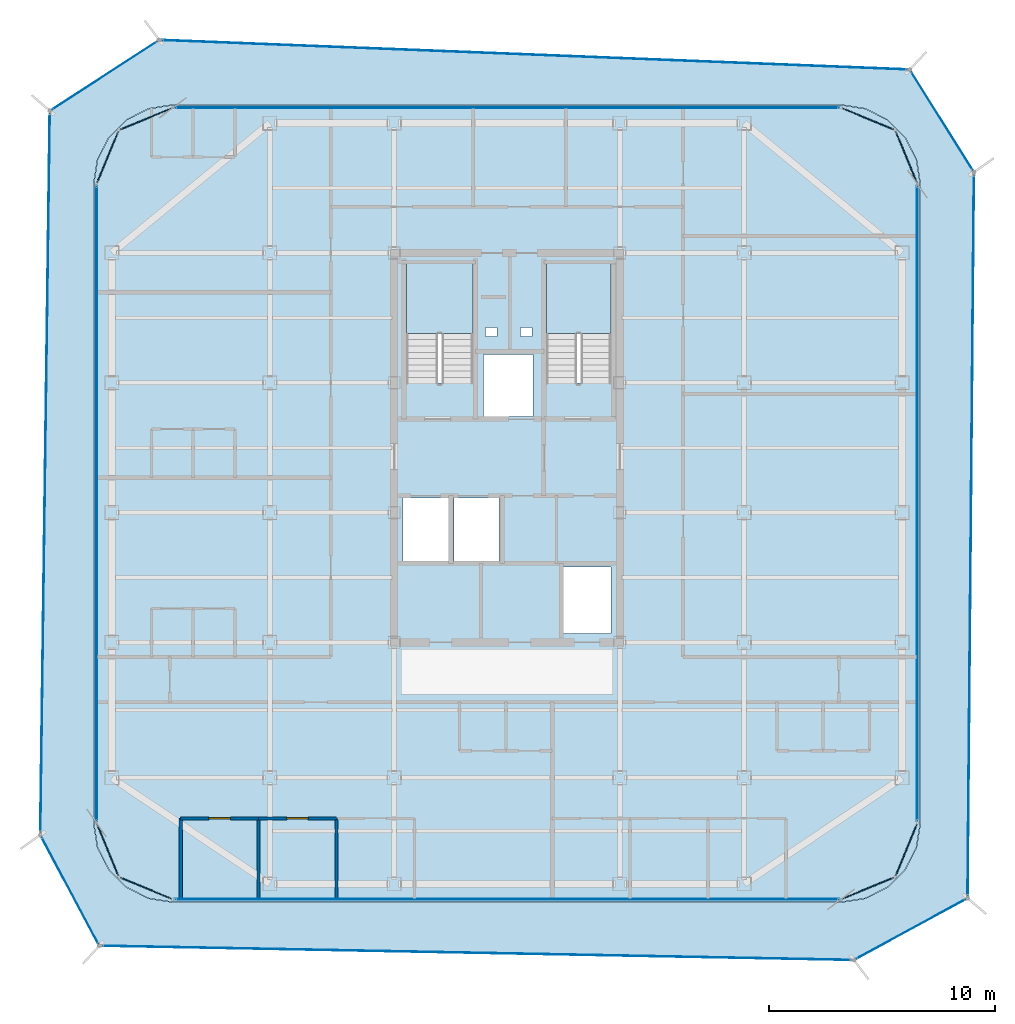
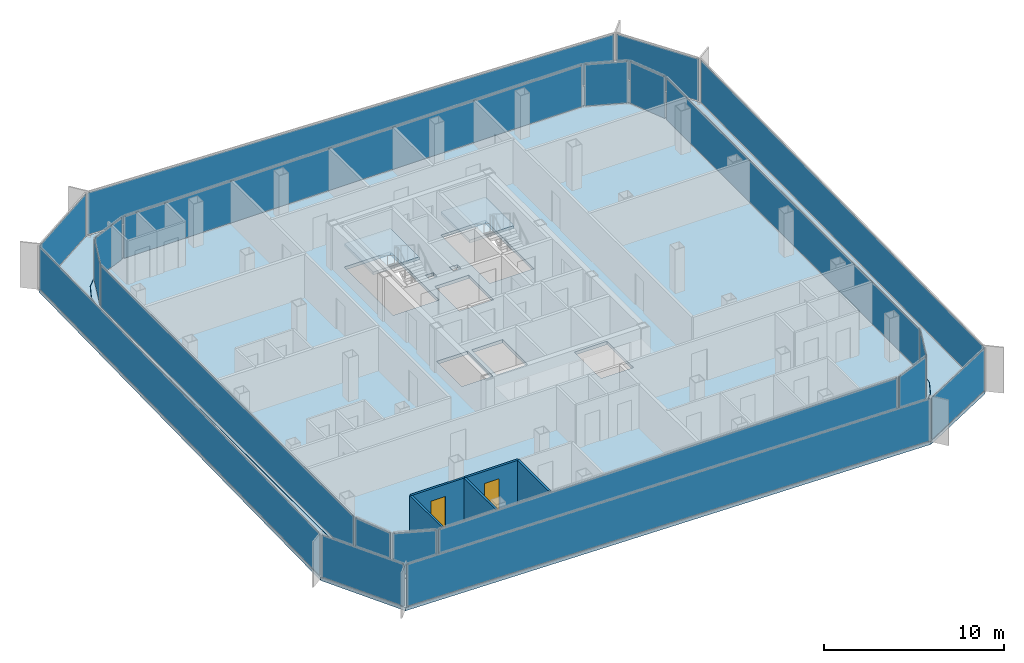
# One storey, part 9 of 15: 20 plates, 5 walls, 4 slabs, 2 doors, 2 openings, 22 elements without a shape of their own.
"""IFC4 building model written with IfcOpenShell, lengths in metres."""

from ifc_helpers import new_model, si_unit, direction, frame, frame_2d, origin, origin_2d, place, context, subcontext, project, spatial, polyline, rectangle, outline, extrude, source, transform, mapped, material, layer, layer_set, type_object, element, fill, aggregate, save


model = new_model("IFC4")

# Units and contexts
model_context = context("Model", 3, precision=1e-05, world=origin(), true_north=direction((0.0, 1.0)))
body_context = subcontext(model_context, "Body", "Model", "MODEL_VIEW")
ifc_project = project(units=[si_unit("LENGTHUNIT", "METRE"), si_unit("AREAUNIT", "SQUARE_METRE"), si_unit("VOLUMEUNIT", "CUBIC_METRE"), si_unit("PLANEANGLEUNIT", "RADIAN"), si_unit("MASSUNIT", "GRAM", prefix="KILO")], contexts=[model_context])

# Site, building, storey
site_placement = place(None, origin())
site = spatial("IfcSite", under=ifc_project, at=site_placement, CompositionType="ELEMENT")
building_placement = place(site_placement, origin())
building = spatial("IfcBuilding", under=site, at=building_placement, Name="Kolveth Station Tower", CompositionType="ELEMENT")
storey_placement = place(building_placement, frame((0.0, 0.0, 261.699951171875)))
storey = spatial("IfcBuildingStorey", under=building, at=storey_placement, Name="L75", CompositionType="ELEMENT", Elevation=261.699951171875)

# Slab
ifc_material_1 = material(Name="Concrete C40/50", Category="concrete")
ifc_layer_1 = layer(ifc_material_1, 0.219970703125)
ifc_layer_set_1 = layer_set([ifc_layer_1], Name="Concrete C40/50")
slab_type_1 = type_object("IfcSlabType", Name="Slab_SF-220", PredefinedType="FLOOR", material=ifc_layer_set_1)
slab_1_placement = place(storey_placement, frame((0.0, 0.0, -0.219970703125)))
element("IfcSlab", 1, at=slab_1_placement, inside=storey, type_object=slab_type_1, Name="L75 Tower Structural Floor Slab", PredefinedType="FLOOR", context=body_context, shape_type="SweptSolid", body=[
    extrude(outline(polyline([(38.300048828125, 0.0), (39.381591796875, 0.17138671875), (40.357177734375, 0.66845703125), (41.131591796875, 1.44287109375), (41.628662109375, 2.41845703125), (41.800048828125, 3.5), (41.800048828125, 31.800048828125), (41.628662109375, 32.881591796875), (41.131591796875, 33.857177734375), (40.357177734375, 34.631591796875), (39.381591796875, 35.128662109375), (38.300048828125, 35.300048828125), (8.699951171875, 35.300048828125), (7.618408203125, 35.128662109375), (6.642822265625, 34.631591796875), (5.868408203125, 33.857177734375), (5.371337890625, 32.881591796875), (5.199951171875, 31.800048828125), (5.199951171875, 3.5), (5.371337890625, 2.41845703125), (5.868408203125, 1.44287109375), (6.642822265625, 0.66845703125), (7.618408203125, 0.17138671875), (8.699951171875, 0.0), (38.300048828125, 0.0)]), holes=[polyline([(19.0400390625, 22.985107421875), (22.0, 22.985107421875), (22.0, 28.39990234375), (19.0400390625, 28.39990234375), (19.0400390625, 22.985107421875)]), polyline([(25.239990234375, 22.985107421875), (28.10009765625, 22.985107421875), (28.10009765625, 28.39990234375), (25.239990234375, 28.39990234375), (25.239990234375, 22.985107421875)]), polyline([(18.89990234375, 15.10009765625), (20.89990234375, 15.10009765625), (20.89990234375, 17.89990234375), (18.89990234375, 17.89990234375), (18.89990234375, 15.10009765625)]), polyline([(21.14990234375, 15.10009765625), (23.14990234375, 15.10009765625), (23.14990234375, 17.89990234375), (21.14990234375, 17.89990234375), (21.14990234375, 15.10009765625)]), polyline([(22.449951171875, 21.5), (24.64990234375, 21.5), (24.64990234375, 24.25), (22.449951171875, 24.25), (22.449951171875, 21.5)]), polyline([(26.0, 11.89990234375), (28.10009765625, 11.89990234375), (28.10009765625, 14.85009765625), (26.0, 14.85009765625), (26.0, 11.89990234375)]), polyline([(22.550048828125, 25.050048828125), (23.050048828125, 25.050048828125), (23.050048828125, 25.449951171875), (22.550048828125, 25.449951171875), (22.550048828125, 25.050048828125)]), polyline([(24.10009765625, 25.050048828125), (24.60009765625, 25.050048828125), (24.60009765625, 25.449951171875), (24.10009765625, 25.449951171875), (24.10009765625, 25.050048828125)])]), origin(), (0.0, 0.0, 1.0), 0.219970703125),
])

# Stair, slab
stair_type_1 = type_object("IfcStairType", Name="Stair_ST2", PredefinedType="HALF_TURN_STAIR", material=ifc_material_1)
stair_1_placement = place(storey_placement, origin())
stair_1 = element("IfcStair", 2, at=stair_1_placement, inside=storey, type_object=stair_type_1, Name="L75 Tower Exit Stair ST2", PredefinedType="HALF_TURN_STAIR")
ifc_layer_2 = layer(ifc_material_1, 0.18994140625)
ifc_layer_set_2 = layer_set([ifc_layer_2], Name="Concrete C40/50")
slab_type_2 = type_object("IfcSlabType", Name="Slab_SL-190", PredefinedType="LANDING", material=ifc_layer_set_2)
slab_2_placement = place(storey_placement, frame((0.0, 0.0, 1.400146484375)))
slab_2 = element("IfcSlab", 3, at=slab_2_placement, type_object=slab_type_2, Name="ST2 landing 1", PredefinedType="LANDING", context=body_context, shape_type="SweptSolid", body=[
    extrude(outline(polyline([(28.10009765625, 25.18994140625), (28.10009765625, 28.39990234375), (25.239990234375, 28.39990234375), (25.239990234375, 25.18994140625), (28.10009765625, 25.18994140625)])), origin(), (0.0, 0.0, 1.0), 0.199951171875),
])
aggregate(stair_1, [slab_2])

stair_type_2 = type_object("IfcStairType", Name="Stair_ST1", PredefinedType="HALF_TURN_STAIR", material=ifc_material_1)
stair_2_placement = place(storey_placement, origin())
stair_2 = element("IfcStair", 4, at=stair_2_placement, inside=storey, type_object=stair_type_2, Name="L75 Tower Exit Stair ST1", PredefinedType="HALF_TURN_STAIR")
ifc_layer_3 = layer(ifc_material_1, 0.205078125)
ifc_layer_set_3 = layer_set([ifc_layer_3], Name="Concrete C40/50")
slab_type_3 = type_object("IfcSlabType", Name="Slab_SL-205", PredefinedType="LANDING", material=ifc_layer_set_3)
slab_3_placement = place(storey_placement, frame((0.0, 0.0, 1.400146484375)))
slab_3 = element("IfcSlab", 5, at=slab_3_placement, type_object=slab_type_3, Name="ST1 landing 1", PredefinedType="LANDING", context=body_context, shape_type="SweptSolid", body=[
    extrude(outline(polyline([(22.0, 25.18994140625), (22.0, 28.39990234375), (19.0400390625, 28.39990234375), (19.0400390625, 25.18994140625), (22.0, 25.18994140625)])), origin(), (0.0, 0.0, 1.0), 0.199951171875),
])
aggregate(stair_2, [slab_3])

# Slab
ifc_layer_4 = layer(ifc_material_1, 0.2099609375)
ifc_layer_set_4 = layer_set([ifc_layer_4], Name="Concrete C40/50")
slab_type_4 = type_object("IfcSlabType", Name="Slab_ST-210", PredefinedType="FLOOR", material=ifc_layer_set_4)
slab_4_placement = place(storey_placement, frame((0.0, 0.0, -0.2099609375)))
element("IfcSlab", 6, at=slab_4_placement, inside=storey, type_object=slab_type_4, Name="L75 Double-Skin Cavity Structural Ledger Ring", PredefinedType="FLOOR", context=body_context, shape_type="SweptSolid", body=[
    extrude(outline(polyline([(5.446533203125, -1.937744140625), (2.833251953125, 2.976318359375), (3.253662109375, 35.04052734375), (8.098388671875, 38.179931640625), (41.34228515625, 36.868896484375), (44.185302734375, 32.326171875), (43.903076171875, 0.169677734375), (38.86328125, -2.570068359375), (5.446533203125, -1.937744140625)]), holes=[polyline([(38.30224609375, -0.014892578125), (39.3837890625, 0.156494140625), (39.388427734375, 0.157958984375), (40.364013671875, 0.655029296875), (40.367919921875, 0.65771484375), (41.14208984375, 1.43212890625), (41.14501953125, 1.43603515625), (41.64208984375, 2.41162109375), (41.6435546875, 2.416015625), (41.814697265625, 3.497802734375), (41.81494140625, 3.5), (41.81494140625, 31.800048828125), (41.814697265625, 31.80224609375), (41.6435546875, 32.8837890625), (41.64208984375, 32.888427734375), (41.14501953125, 33.864013671875), (41.14208984375, 33.867919921875), (40.367919921875, 34.64208984375), (40.364013671875, 34.64501953125), (39.388427734375, 35.14208984375), (39.3837890625, 35.1435546875), (38.30224609375, 35.314697265625), (38.300048828125, 35.31494140625), (8.699951171875, 35.31494140625), (8.69775390625, 35.314697265625), (7.6162109375, 35.1435546875), (7.611572265625, 35.14208984375), (6.635986328125, 34.64501953125), (6.632080078125, 34.64208984375), (5.85791015625, 33.867919921875), (5.85498046875, 33.864013671875), (5.35791015625, 32.888427734375), (5.3564453125, 32.8837890625), (5.185302734375, 31.80224609375), (5.18505859375, 31.800048828125), (5.18505859375, 3.5), (5.185302734375, 3.497802734375), (5.3564453125, 2.416015625), (5.35791015625, 2.41162109375), (5.85498046875, 1.43603515625), (5.85791015625, 1.43212890625), (6.632080078125, 0.65771484375), (6.635986328125, 0.655029296875), (7.611572265625, 0.157958984375), (7.6162109375, 0.156494140625), (8.69775390625, -0.014892578125), (8.699951171875, -0.014892578125), (38.300048828125, -0.014892578125), (38.30224609375, -0.014892578125)])]), origin(), (0.0, 0.0, 1.0), 0.2099609375),
])

# Curtain wall, plate
ifc_material_2 = material(Name="Aluminium 6063-T6 and triple low-E dark glass", Category="aluminium")
ifc_layer_5 = layer(ifc_material_2, 0.199951171875)
ifc_layer_set_5 = layer_set([ifc_layer_5], Name="Aluminium 6063-T6 and triple low-E dark glass")
curtain_wall_type_1 = type_object("IfcCurtainWallType", Name="CurtainWall_CW-Z3", PredefinedType="NOTDEFINED", material=ifc_layer_set_5)
curtain_wall_1_placement = place(storey_placement, origin())
curtain_wall_1 = element("IfcCurtainWall", 7, at=curtain_wall_1_placement, inside=storey, type_object=curtain_wall_type_1, Name="L75 Inner Thermal Curtain Wall 1", PredefinedType="NOTDEFINED")
ifc_material_3 = material(Name="Architectural low-E dark glass", Category="glass")
ifc_layer_6 = layer(ifc_material_3, 0.0419921875)
ifc_layer_set_6 = layer_set([ifc_layer_6], Name="Architectural low-E dark glass")
plate_type_1 = type_object("IfcPlateType", Name="Panel_GL3", PredefinedType="CURTAIN_PANEL", material=ifc_layer_set_6)
shared_shape_1 = source(origin(), body_context, "Body", "SweptSolid", [
    extrude(rectangle(XDim=2.430908203125, YDim=0.0419921875, at=origin_2d()), origin(), (0.0, 0.0, 1.0), 2.823974609375),
])
plate_1_placement = place(storey_placement, frame((39.4951171875, 0.614990234375, 0.078125), z_axis=(0.0, 0.0, 1.0), x_axis=(0.923875488975, 0.382693194181, 0.0)))
plate_1 = element("IfcPlate", 8, at=plate_1_placement, type_object=plate_type_1, Name="CW-Z3 panel 1.1", PredefinedType="CURTAIN_PANEL", context=body_context, shape_type="MappedRepresentation", body=[
    mapped(shared_shape_1, transform((0.0, 0.0, 0.0), x_axis=(1.0, 0.0, 0.0), y_axis=(0.0, 1.0, 0.0), z_axis=(0.0, 0.0, 1.0), scale=1.0)),
])
aggregate(curtain_wall_1, [plate_1])

curtain_wall_2_placement = place(storey_placement, origin())
curtain_wall_2 = element("IfcCurtainWall", 9, at=curtain_wall_2_placement, inside=storey, type_object=curtain_wall_type_1, Name="L75 Inner Thermal Curtain Wall 2", PredefinedType="NOTDEFINED")
plate_2_placement = place(storey_placement, frame((41.18505859375, 2.304931640625, 0.078125), z_axis=(0.0, 0.0, 1.0), x_axis=(0.382693194181, 0.923875488975, 0.0)))
plate_2 = element("IfcPlate", 10, at=plate_2_placement, type_object=plate_type_1, Name="CW-Z3 panel 1.1", PredefinedType="CURTAIN_PANEL", context=body_context, shape_type="MappedRepresentation", body=[
    mapped(shared_shape_1, transform((0.0, 0.0, 0.0), x_axis=(1.0, 0.0, 0.0), y_axis=(0.0, 1.0, 0.0), z_axis=(0.0, 0.0, 1.0), scale=1.0)),
])
aggregate(curtain_wall_2, [plate_2])

curtain_wall_3_placement = place(storey_placement, origin())
curtain_wall_3 = element("IfcCurtainWall", 11, at=curtain_wall_3_placement, inside=storey, type_object=curtain_wall_type_1, Name="L75 Inner Thermal Curtain Wall 4", PredefinedType="NOTDEFINED")
plate_3_placement = place(storey_placement, frame((41.18505859375, 32.9951171875, 0.078125), z_axis=(0.0, 0.0, 1.0), x_axis=(-0.382693194181, 0.923875488975, 0.0)))
plate_3 = element("IfcPlate", 12, at=plate_3_placement, type_object=plate_type_1, Name="CW-Z3 panel 1.1", PredefinedType="CURTAIN_PANEL", context=body_context, shape_type="MappedRepresentation", body=[
    mapped(shared_shape_1, transform((0.0, 0.0, 0.0), x_axis=(1.0, 0.0, 0.0), y_axis=(0.0, 1.0, 0.0), z_axis=(0.0, 0.0, 1.0), scale=1.0)),
])
aggregate(curtain_wall_3, [plate_3])

curtain_wall_4_placement = place(storey_placement, origin())
curtain_wall_4 = element("IfcCurtainWall", 13, at=curtain_wall_4_placement, inside=storey, type_object=curtain_wall_type_1, Name="L75 Inner Thermal Curtain Wall 5", PredefinedType="NOTDEFINED")
plate_4_placement = place(storey_placement, frame((39.4951171875, 34.68505859375, 0.078125), z_axis=(0.0, 0.0, 1.0), x_axis=(-0.923875488975, 0.382693194181, 0.0)))
plate_4 = element("IfcPlate", 14, at=plate_4_placement, type_object=plate_type_1, Name="CW-Z3 panel 1.1", PredefinedType="CURTAIN_PANEL", context=body_context, shape_type="MappedRepresentation", body=[
    mapped(shared_shape_1, transform((0.0, 0.0, 0.0), x_axis=(1.0, 0.0, 0.0), y_axis=(0.0, 1.0, 0.0), z_axis=(0.0, 0.0, 1.0), scale=1.0)),
])
aggregate(curtain_wall_4, [plate_4])

curtain_wall_5_placement = place(storey_placement, origin())
curtain_wall_5 = element("IfcCurtainWall", 15, at=curtain_wall_5_placement, inside=storey, type_object=curtain_wall_type_1, Name="L75 Inner Thermal Curtain Wall 7", PredefinedType="NOTDEFINED")
plate_5_placement = place(storey_placement, frame((7.5048828125, 34.68505859375, 0.078125), z_axis=(0.0, 0.0, 1.0), x_axis=(-0.923875488975, -0.382693194181, 0.0)))
plate_5 = element("IfcPlate", 16, at=plate_5_placement, type_object=plate_type_1, Name="CW-Z3 panel 1.1", PredefinedType="CURTAIN_PANEL", context=body_context, shape_type="MappedRepresentation", body=[
    mapped(shared_shape_1, transform((0.0, 0.0, 0.0), x_axis=(1.0, 0.0, 0.0), y_axis=(0.0, 1.0, 0.0), z_axis=(0.0, 0.0, 1.0), scale=1.0)),
])
aggregate(curtain_wall_5, [plate_5])

curtain_wall_6_placement = place(storey_placement, origin())
curtain_wall_6 = element("IfcCurtainWall", 17, at=curtain_wall_6_placement, inside=storey, type_object=curtain_wall_type_1, Name="L75 Inner Thermal Curtain Wall 8", PredefinedType="NOTDEFINED")
plate_6_placement = place(storey_placement, frame((5.81494140625, 32.9951171875, 0.078125), z_axis=(0.0, 0.0, 1.0), x_axis=(-0.382693194181, -0.923875488975, 0.0)))
plate_6 = element("IfcPlate", 18, at=plate_6_placement, type_object=plate_type_1, Name="CW-Z3 panel 1.1", PredefinedType="CURTAIN_PANEL", context=body_context, shape_type="MappedRepresentation", body=[
    mapped(shared_shape_1, transform((0.0, 0.0, 0.0), x_axis=(1.0, 0.0, 0.0), y_axis=(0.0, 1.0, 0.0), z_axis=(0.0, 0.0, 1.0), scale=1.0)),
])
aggregate(curtain_wall_6, [plate_6])

curtain_wall_7_placement = place(storey_placement, origin())
curtain_wall_7 = element("IfcCurtainWall", 19, at=curtain_wall_7_placement, inside=storey, type_object=curtain_wall_type_1, Name="L75 Inner Thermal Curtain Wall 10", PredefinedType="NOTDEFINED")
plate_7_placement = place(storey_placement, frame((5.81494140625, 2.304931640625, 0.078125), z_axis=(0.0, 0.0, 1.0), x_axis=(0.382693194181, -0.923875488975, 0.0)))
plate_7 = element("IfcPlate", 20, at=plate_7_placement, type_object=plate_type_1, Name="CW-Z3 panel 1.1", PredefinedType="CURTAIN_PANEL", context=body_context, shape_type="MappedRepresentation", body=[
    mapped(shared_shape_1, transform((0.0, 0.0, 0.0), x_axis=(1.0, 0.0, 0.0), y_axis=(0.0, 1.0, 0.0), z_axis=(0.0, 0.0, 1.0), scale=1.0)),
])
aggregate(curtain_wall_7, [plate_7])

curtain_wall_8_placement = place(storey_placement, origin())
curtain_wall_8 = element("IfcCurtainWall", 21, at=curtain_wall_8_placement, inside=storey, type_object=curtain_wall_type_1, Name="L75 Inner Thermal Curtain Wall 11", PredefinedType="NOTDEFINED")
plate_8_placement = place(storey_placement, frame((7.5048828125, 0.614990234375, 0.078125), z_axis=(0.0, 0.0, 1.0), x_axis=(0.923875488975, -0.382693194181, 0.0)))
plate_8 = element("IfcPlate", 22, at=plate_8_placement, type_object=plate_type_1, Name="CW-Z3 panel 1.1", PredefinedType="CURTAIN_PANEL", context=body_context, shape_type="MappedRepresentation", body=[
    mapped(shared_shape_1, transform((0.0, 0.0, 0.0), x_axis=(1.0, 0.0, 0.0), y_axis=(0.0, 1.0, 0.0), z_axis=(0.0, 0.0, 1.0), scale=1.0)),
])
aggregate(curtain_wall_8, [plate_8])

curtain_wall_9_placement = place(storey_placement, origin())
curtain_wall_9 = element("IfcCurtainWall", 23, at=curtain_wall_9_placement, inside=storey, type_object=curtain_wall_type_1, Name="L75 Inner Thermal Curtain Wall 3", PredefinedType="NOTDEFINED")
shared_shape_2 = source(origin(), body_context, "Body", "SweptSolid", [
    extrude(rectangle(XDim=28.14404296875, YDim=0.0419921875, at=origin_2d()), origin(), (0.0, 0.0, 1.0), 2.823974609375),
])
plate_9_placement = place(storey_placement, frame((41.679931640625, 17.64990234375, 0.078125), z_axis=(0.0, 0.0, 1.0), x_axis=(0.0, 1.0, 0.0)))
plate_9 = element("IfcPlate", 24, at=plate_9_placement, type_object=plate_type_1, Name="CW-Z3 panel 1.1", PredefinedType="CURTAIN_PANEL", context=body_context, shape_type="MappedRepresentation", body=[
    mapped(shared_shape_2, transform((0.0, 0.0, 0.0), x_axis=(1.0, 0.0, 0.0), y_axis=(0.0, 1.0, 0.0), z_axis=(0.0, 0.0, 1.0), scale=1.0)),
])
aggregate(curtain_wall_9, [plate_9])

curtain_wall_10_placement = place(storey_placement, origin())
curtain_wall_10 = element("IfcCurtainWall", 25, at=curtain_wall_10_placement, inside=storey, type_object=curtain_wall_type_1, Name="L75 Inner Thermal Curtain Wall 9", PredefinedType="NOTDEFINED")
plate_10_placement = place(storey_placement, frame((5.320068359375, 17.64990234375, 0.078125), z_axis=(0.0, 0.0, 1.0), x_axis=(0.0, -1.0, 0.0)))
plate_10 = element("IfcPlate", 26, at=plate_10_placement, type_object=plate_type_1, Name="CW-Z3 panel 1.1", PredefinedType="CURTAIN_PANEL", context=body_context, shape_type="MappedRepresentation", body=[
    mapped(shared_shape_2, transform((0.0, 0.0, 0.0), x_axis=(1.0, 0.0, 0.0), y_axis=(0.0, 1.0, 0.0), z_axis=(0.0, 0.0, 1.0), scale=1.0)),
])
aggregate(curtain_wall_10, [plate_10])

curtain_wall_11_placement = place(storey_placement, origin())
curtain_wall_11 = element("IfcCurtainWall", 27, at=curtain_wall_11_placement, inside=storey, type_object=curtain_wall_type_1, Name="L75 Inner Thermal Curtain Wall 6", PredefinedType="NOTDEFINED")
shared_shape_3 = source(origin(), body_context, "Body", "SweptSolid", [
    extrude(rectangle(XDim=29.444091796875, YDim=0.0419921875, at=origin_2d()), origin(), (0.0, 0.0, 1.0), 2.823974609375),
])
plate_11_placement = place(storey_placement, frame((23.5, 35.179931640625, 0.078125), z_axis=(0.0, 0.0, 1.0), x_axis=(-1.0, 0.0, 0.0)))
plate_11 = element("IfcPlate", 28, at=plate_11_placement, type_object=plate_type_1, Name="CW-Z3 panel 1.1", PredefinedType="CURTAIN_PANEL", context=body_context, shape_type="MappedRepresentation", body=[
    mapped(shared_shape_3, transform((0.0, 0.0, 0.0), x_axis=(1.0, 0.0, 0.0), y_axis=(0.0, 1.0, 0.0), z_axis=(0.0, 0.0, 1.0), scale=1.0)),
])
aggregate(curtain_wall_11, [plate_11])

curtain_wall_12_placement = place(storey_placement, origin())
curtain_wall_12 = element("IfcCurtainWall", 29, at=curtain_wall_12_placement, inside=storey, type_object=curtain_wall_type_1, Name="L75 Inner Thermal Curtain Wall 12", PredefinedType="NOTDEFINED")
plate_12_placement = place(storey_placement, frame((23.5, 0.1201171875, 0.078125), z_axis=(0.0, 0.0, 1.0), x_axis=(1.0, 0.0, 0.0)))
plate_12 = element("IfcPlate", 30, at=plate_12_placement, type_object=plate_type_1, Name="CW-Z3 panel 1.1", PredefinedType="CURTAIN_PANEL", context=body_context, shape_type="MappedRepresentation", body=[
    mapped(shared_shape_3, transform((0.0, 0.0, 0.0), x_axis=(1.0, 0.0, 0.0), y_axis=(0.0, 1.0, 0.0), z_axis=(0.0, 0.0, 1.0), scale=1.0)),
])
aggregate(curtain_wall_12, [plate_12])

ifc_material_4 = material(Name="Black anodized aluminium 6063-T6 and dark solar glass", Category="aluminium")
ifc_layer_7 = layer(ifc_material_4, 0.159912109375)
ifc_layer_set_7 = layer_set([ifc_layer_7], Name="Black anodized aluminium 6063-T6 and dark solar glass")
curtain_wall_type_2 = type_object("IfcCurtainWallType", Name="OUTER SKIN CW-OS", PredefinedType="NOTDEFINED", material=ifc_layer_set_7)
curtain_wall_13_placement = place(storey_placement, origin())
curtain_wall_13 = element("IfcCurtainWall", 31, at=curtain_wall_13_placement, inside=storey, type_object=curtain_wall_type_2, Name="L75 Outer Ventilated Skin Curtain Wall 1", PredefinedType="NOTDEFINED")
ifc_layer_8 = layer(ifc_material_3, 0.028076171875)
ifc_layer_set_8 = layer_set([ifc_layer_8], Name="Architectural low-E dark glass")
plate_type_2 = type_object("IfcPlateType", Name="Panel_GL-OS", PredefinedType="CURTAIN_PANEL", material=ifc_layer_set_8)
shared_shape_4 = source(origin(), body_context, "Body", "SweptSolid", [
    extrude(rectangle(XDim=5.570068359375, YDim=0.028076171875, at=origin_2d()), origin(), (0.0, 0.0, 1.0), 2.843994140625),
])
plate_13_placement = place(storey_placement, frame((41.38330078125, -1.2001953125, 0.0732421875), z_axis=(0.0, 0.0, 1.0), x_axis=(0.878574258825, 0.477605770201, 0.0)))
plate_13 = element("IfcPlate", 32, at=plate_13_placement, type_object=plate_type_2, Name="CW-OS panel 1.1", PredefinedType="CURTAIN_PANEL", context=body_context, shape_type="MappedRepresentation", body=[
    mapped(shared_shape_4, transform((0.0, 0.0, 0.0), x_axis=(1.0, 0.0, 0.0), y_axis=(0.0, 1.0, 0.0), z_axis=(0.0, 0.0, 1.0), scale=1.0)),
])
aggregate(curtain_wall_13, [plate_13])

curtain_wall_14_placement = place(storey_placement, origin())
curtain_wall_14 = element("IfcCurtainWall", 33, at=curtain_wall_14_placement, inside=storey, type_object=curtain_wall_type_2, Name="L75 Outer Ventilated Skin Curtain Wall 2", PredefinedType="NOTDEFINED")
shared_shape_5 = source(origin(), body_context, "Body", "SweptSolid", [
    extrude(rectangle(XDim=31.99169921875, YDim=0.028076171875, at=origin_2d()), origin(), (0.0, 0.0, 1.0), 2.843994140625),
])
plate_14_placement = place(storey_placement, frame((44.044189453125, 16.247802734375, 0.0732421875), z_axis=(0.0, 0.0, 1.0), x_axis=(0.008778602226, 0.999961467329, 0.0)))
plate_14 = element("IfcPlate", 34, at=plate_14_placement, type_object=plate_type_2, Name="CW-OS panel 1.1", PredefinedType="CURTAIN_PANEL", context=body_context, shape_type="MappedRepresentation", body=[
    mapped(shared_shape_5, transform((0.0, 0.0, 0.0), x_axis=(1.0, 0.0, 0.0), y_axis=(0.0, 1.0, 0.0), z_axis=(0.0, 0.0, 1.0), scale=1.0)),
])
aggregate(curtain_wall_14, [plate_14])

curtain_wall_15_placement = place(storey_placement, origin())
curtain_wall_15 = element("IfcCurtainWall", 35, at=curtain_wall_15_placement, inside=storey, type_object=curtain_wall_type_2, Name="L75 Outer Ventilated Skin Curtain Wall 3", PredefinedType="NOTDEFINED")
shared_shape_6 = source(origin(), body_context, "Body", "SweptSolid", [
    extrude(rectangle(XDim=5.193115234375, YDim=0.028076171875, at=origin_2d()), origin(), (0.0, 0.0, 1.0), 2.843994140625),
])
plate_15_placement = place(storey_placement, frame((42.763671875, 34.597412109375, 0.0732421875), z_axis=(0.0, 0.0, 1.0), x_axis=(-0.530523835745, 0.847670018172, 0.0)))
plate_15 = element("IfcPlate", 36, at=plate_15_placement, type_object=plate_type_2, Name="CW-OS panel 1.1", PredefinedType="CURTAIN_PANEL", context=body_context, shape_type="MappedRepresentation", body=[
    mapped(shared_shape_6, transform((0.0, 0.0, 0.0), x_axis=(1.0, 0.0, 0.0), y_axis=(0.0, 1.0, 0.0), z_axis=(0.0, 0.0, 1.0), scale=1.0)),
])
aggregate(curtain_wall_15, [plate_15])

curtain_wall_16_placement = place(storey_placement, origin())
curtain_wall_16 = element("IfcCurtainWall", 37, at=curtain_wall_16_placement, inside=storey, type_object=curtain_wall_type_2, Name="L75 Outer Ventilated Skin Curtain Wall 4", PredefinedType="NOTDEFINED")
shared_shape_7 = source(origin(), body_context, "Body", "SweptSolid", [
    extrude(rectangle(XDim=33.103759765625, YDim=0.028076171875, at=origin_2d()), origin(), (0.0, 0.0, 1.0), 2.843994140625),
])
plate_16_placement = place(storey_placement, frame((24.72021484375, 37.5244140625, 0.0732421875), z_axis=(0.0, 0.0, 1.0), x_axis=(-0.999223196037, 0.039408178109, 0.0)))
plate_16 = element("IfcPlate", 38, at=plate_16_placement, type_object=plate_type_2, Name="CW-OS panel 1.1", PredefinedType="CURTAIN_PANEL", context=body_context, shape_type="MappedRepresentation", body=[
    mapped(shared_shape_7, transform((0.0, 0.0, 0.0), x_axis=(1.0, 0.0, 0.0), y_axis=(0.0, 1.0, 0.0), z_axis=(0.0, 0.0, 1.0), scale=1.0)),
])
aggregate(curtain_wall_16, [plate_16])

curtain_wall_17_placement = place(storey_placement, origin())
curtain_wall_17 = element("IfcCurtainWall", 39, at=curtain_wall_17_placement, inside=storey, type_object=curtain_wall_type_2, Name="L75 Outer Ventilated Skin Curtain Wall 5", PredefinedType="NOTDEFINED")
shared_shape_8 = source(origin(), body_context, "Body", "SweptSolid", [
    extrude(rectangle(XDim=5.60693359375, YDim=0.028076171875, at=origin_2d()), origin(), (0.0, 0.0, 1.0), 2.843994140625),
])
plate_17_placement = place(storey_placement, frame((5.676025390625, 36.610107421875, 0.0732421875), z_axis=(0.0, 0.0, 1.0), x_axis=(-0.839207007, -0.543812099353, 0.0)))
plate_17 = element("IfcPlate", 40, at=plate_17_placement, type_object=plate_type_2, Name="CW-OS panel 1.1", PredefinedType="CURTAIN_PANEL", context=body_context, shape_type="MappedRepresentation", body=[
    mapped(shared_shape_8, transform((0.0, 0.0, 0.0), x_axis=(1.0, 0.0, 0.0), y_axis=(0.0, 1.0, 0.0), z_axis=(0.0, 0.0, 1.0), scale=1.0)),
])
aggregate(curtain_wall_17, [plate_17])

curtain_wall_18_placement = place(storey_placement, origin())
curtain_wall_18 = element("IfcCurtainWall", 41, at=curtain_wall_18_placement, inside=storey, type_object=curtain_wall_type_2, Name="L75 Outer Ventilated Skin Curtain Wall 6", PredefinedType="NOTDEFINED")
shared_shape_9 = source(origin(), body_context, "Body", "SweptSolid", [
    extrude(rectangle(XDim=31.901123046875, YDim=0.028076171875, at=origin_2d()), origin(), (0.0, 0.0, 1.0), 2.843994140625),
])
plate_18_placement = place(storey_placement, frame((3.04345703125, 19.00830078125, 0.0732421875), z_axis=(0.0, 0.0, 1.0), x_axis=(-0.013110027993, -0.99991405989, 0.0)))
plate_18 = element("IfcPlate", 42, at=plate_18_placement, type_object=plate_type_2, Name="CW-OS panel 1.1", PredefinedType="CURTAIN_PANEL", context=body_context, shape_type="MappedRepresentation", body=[
    mapped(shared_shape_9, transform((0.0, 0.0, 0.0), x_axis=(1.0, 0.0, 0.0), y_axis=(0.0, 1.0, 0.0), z_axis=(0.0, 0.0, 1.0), scale=1.0)),
])
aggregate(curtain_wall_18, [plate_18])

curtain_wall_19_placement = place(storey_placement, origin())
curtain_wall_19 = element("IfcCurtainWall", 43, at=curtain_wall_19_placement, inside=storey, type_object=curtain_wall_type_2, Name="L75 Outer Ventilated Skin Curtain Wall 7", PredefinedType="NOTDEFINED")
shared_shape_10 = source(origin(), body_context, "Body", "SweptSolid", [
    extrude(rectangle(XDim=5.399658203125, YDim=0.028076171875, at=origin_2d()), origin(), (0.0, 0.0, 1.0), 2.843994140625),
])
plate_19_placement = place(storey_placement, frame((4.139892578125, 0.519287109375, 0.0732421875), z_axis=(0.0, 0.0, 1.0), x_axis=(0.469560230127, -0.882900441886, 0.0)))
plate_19 = element("IfcPlate", 44, at=plate_19_placement, type_object=plate_type_2, Name="CW-OS panel 1.1", PredefinedType="CURTAIN_PANEL", context=body_context, shape_type="MappedRepresentation", body=[
    mapped(shared_shape_10, transform((0.0, 0.0, 0.0), x_axis=(1.0, 0.0, 0.0), y_axis=(0.0, 1.0, 0.0), z_axis=(0.0, 0.0, 1.0), scale=1.0)),
])
aggregate(curtain_wall_19, [plate_19])

curtain_wall_20_placement = place(storey_placement, origin())
curtain_wall_20 = element("IfcCurtainWall", 45, at=curtain_wall_20_placement, inside=storey, type_object=curtain_wall_type_2, Name="L75 Outer Ventilated Skin Curtain Wall 8", PredefinedType="NOTDEFINED")
shared_shape_11 = source(origin(), body_context, "Body", "SweptSolid", [
    extrude(rectangle(XDim=33.2568359375, YDim=0.028076171875, at=origin_2d()), origin(), (0.0, 0.0, 1.0), 2.843994140625),
])
plate_20_placement = place(storey_placement, frame((22.155029296875, -2.25390625, 0.0732421875), z_axis=(0.0, 0.0, 1.0), x_axis=(0.999821034198, -0.018918233946, 0.0)))
plate_20 = element("IfcPlate", 46, at=plate_20_placement, type_object=plate_type_2, Name="CW-OS panel 1.1", PredefinedType="CURTAIN_PANEL", context=body_context, shape_type="MappedRepresentation", body=[
    mapped(shared_shape_11, transform((0.0, 0.0, 0.0), x_axis=(1.0, 0.0, 0.0), y_axis=(0.0, 1.0, 0.0), z_axis=(0.0, 0.0, 1.0), scale=1.0)),
])
aggregate(curtain_wall_20, [plate_20])

# Wall
ifc_material_5 = material(Name="Moisture-resistant gypsum partition")
ifc_layer_9 = layer(ifc_material_5, 0.135009765625)
ifc_layer_set_9 = layer_set([ifc_layer_9], Name="Moisture-resistant gypsum partition")
wall_type = type_object("IfcWallType", Name="Wall_IW-135", PredefinedType="PARTITIONING", material=ifc_layer_set_9)
wall_1_placement = place(storey_placement, frame((9.050048828125, 0.159912109375, 0.0), z_axis=(0.0, 0.0, 1.0), x_axis=(0.0, 1.0, 0.0)))
element("IfcWall", 47, at=wall_1_placement, inside=storey, type_object=wall_type, Name="L75 Partition Wall WL-L75-A1-BDV0", PredefinedType="PARTITIONING", context=body_context, shape_type="SweptSolid", body=[
    extrude(rectangle(XDim=3.550048828125, YDim=0.135009765625, at=frame_2d((1.77490234375, 0.0))), origin(), (0.0, 0.0, 1.0), 2.97998046875),
])

# Wall, opening, door
wall_2_placement = place(storey_placement, frame((9.050048828125, 3.7099609375, 0.0), z_axis=(0.0, 0.0, 1.0), x_axis=(1.0, 0.0, 0.0)))
wall_2 = element("IfcWall", 48, at=wall_2_placement, inside=storey, type_object=wall_type, Name="L75 Partition Wall WL-L75-A1-BDH1", PredefinedType="PARTITIONING", context=body_context, shape_type="SweptSolid", body=[
    extrude(rectangle(XDim=3.449951171875, YDim=0.135009765625, at=frame_2d((1.72509765625, 0.0))), origin(), (0.0, 0.0, 1.0), 2.97998046875),
])
opening_1_placement = place(wall_2_placement, frame((1.2451171875, 0.0, 0.0)))
opening_1 = element("IfcOpeningElement", 49, at=opening_1_placement, cuts=wall_2, Name="Opening ID1", PredefinedType="OPENING", context=body_context, shape_type="SweptSolid", body=[
    extrude(rectangle(XDim=0.949951171875, YDim=2.14990234375, at=frame_2d((0.47509765625, 1.074951171875))), frame((0.0, 0.077392578125, 0.0), z_axis=(0.0, -1.0, 0.0), x_axis=(1.0, 0.0, 0.0)), (0.0, 0.0, 1.0), 0.155029296875),
])
ifc_material_6 = material(Name="Acoustic hardwood leaf and aluminium frame", Category="wood")
door_type = type_object("IfcDoorType", Name="Door_ID1", OperationType="NOTDEFINED", PredefinedType="DOOR", material=ifc_material_6)
door_1_placement = place(opening_1_placement, frame((0.949951171875, 0.0, 0.0), z_axis=(0.0, 0.0, 1.0), x_axis=(-1.0, 0.0, 0.0)))
door_1 = element("IfcDoor", 50, at=door_1_placement, inside=storey, type_object=door_type, Name="Penthouse Flat L75-A1 Bedroom 1 Door", OperationType="SINGLE_SWING_RIGHT", OverallHeight=2.14990234375, OverallWidth=0.949951171875, PredefinedType="DOOR", context=body_context, shape_type="SweptSolid", body=[
    extrude(rectangle(XDim=0.949951171875, YDim=2.14990234375, at=frame_2d((0.47509765625, 1.074951171875))), frame((0.0, 0.02490234375, 0.0), z_axis=(0.0, -1.0, 0.0), x_axis=(1.0, 0.0, 0.0)), (0.0, 0.0, 1.0), 0.050048828125),
])
fill(opening_1, door_1)

wall_3_placement = place(storey_placement, frame((12.5, 3.7099609375, 0.0), z_axis=(0.0, 0.0, 1.0), x_axis=(1.0, 0.0, 0.0)))
wall_3 = element("IfcWall", 51, at=wall_3_placement, inside=storey, type_object=wall_type, Name="L75 Partition Wall WL-L75-A1-BDH2", PredefinedType="PARTITIONING", context=body_context, shape_type="SweptSolid", body=[
    extrude(rectangle(XDim=3.449951171875, YDim=0.135009765625, at=frame_2d((1.72509765625, 0.0))), origin(), (0.0, 0.0, 1.0), 2.97998046875),
])
opening_2_placement = place(wall_3_placement, frame((1.2451171875, 0.0, 0.0)))
opening_2 = element("IfcOpeningElement", 52, at=opening_2_placement, cuts=wall_3, Name="Opening ID1", PredefinedType="OPENING", context=body_context, shape_type="SweptSolid", body=[
    extrude(rectangle(XDim=0.949951171875, YDim=2.14990234375, at=frame_2d((0.47509765625, 1.074951171875))), frame((0.0, 0.077392578125, 0.0), z_axis=(0.0, -1.0, 0.0), x_axis=(1.0, 0.0, 0.0)), (0.0, 0.0, 1.0), 0.155029296875),
])
door_2_placement = place(opening_2_placement, frame((0.949951171875, 0.0, 0.0), z_axis=(0.0, 0.0, 1.0), x_axis=(-1.0, 0.0, 0.0)))
door_2 = element("IfcDoor", 53, at=door_2_placement, inside=storey, type_object=door_type, Name="Penthouse Flat L75-A1 Bedroom 2 Door", OperationType="SINGLE_SWING_LEFT", OverallHeight=2.14990234375, OverallWidth=0.949951171875, PredefinedType="DOOR", context=body_context, shape_type="SweptSolid", body=[
    extrude(rectangle(XDim=0.949951171875, YDim=2.14990234375, at=frame_2d((0.47509765625, 1.074951171875))), frame((0.0, 0.02490234375, 0.0), z_axis=(0.0, -1.0, 0.0), x_axis=(1.0, 0.0, 0.0)), (0.0, 0.0, 1.0), 0.050048828125),
])
fill(opening_2, door_2)

# Walls
for number, where, z_axis, x_axis, name in (
    (54, (12.5, 0.159912109375, 0.0), (0.0, 0.0, 1.0), (0.0, 1.0, 0.0), "L75 Partition Wall WL-L75-A1-BDV1"),
    (55, (15.949951171875, 0.159912109375, 0.0), (0.0, 0.0, 1.0), (0.0, 1.0, 0.0), "L75 Partition Wall WL-L75-A1-BDV2"),
):
    element("IfcWall", number, at=place(storey_placement, frame(where, z_axis=z_axis, x_axis=x_axis)), inside=storey, type_object=wall_type, Name=name, PredefinedType="PARTITIONING", context=body_context, shape_type="SweptSolid", body=[
        extrude(rectangle(XDim=3.550048828125, YDim=0.135009765625, at=frame_2d((1.77490234375, 0.0))), origin(), (0.0, 0.0, 1.0), 2.97998046875),
    ])

save(model, "model.ifc")
